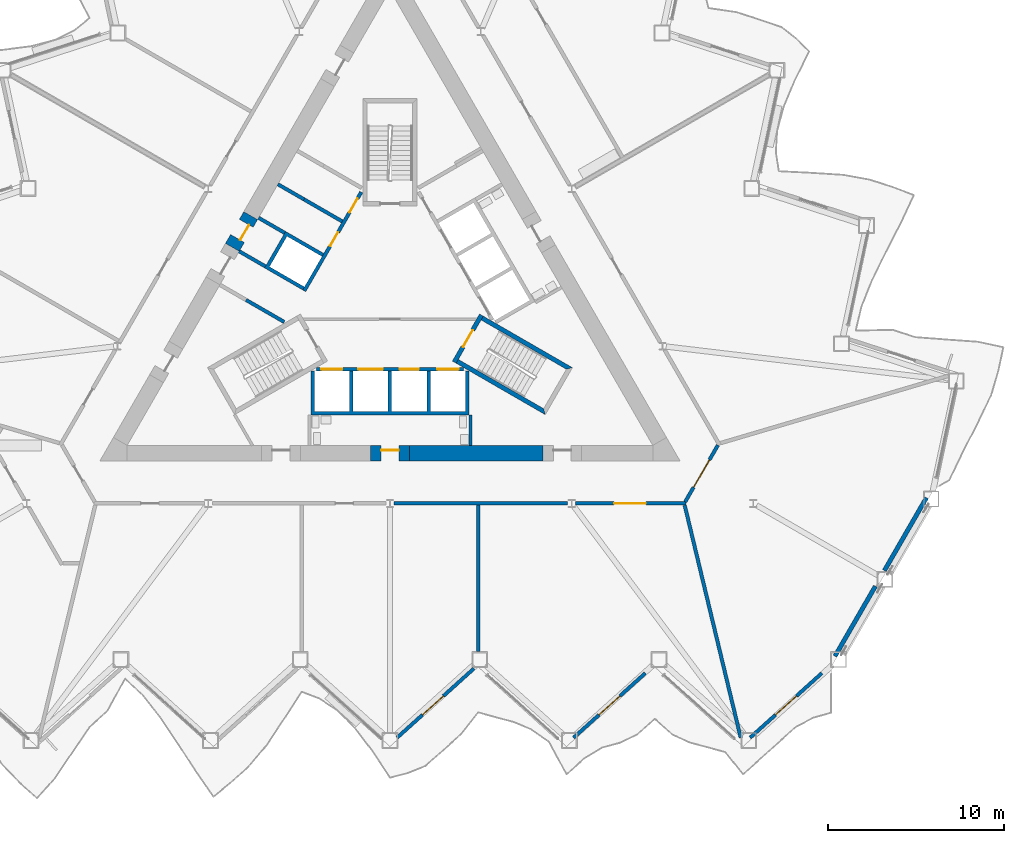
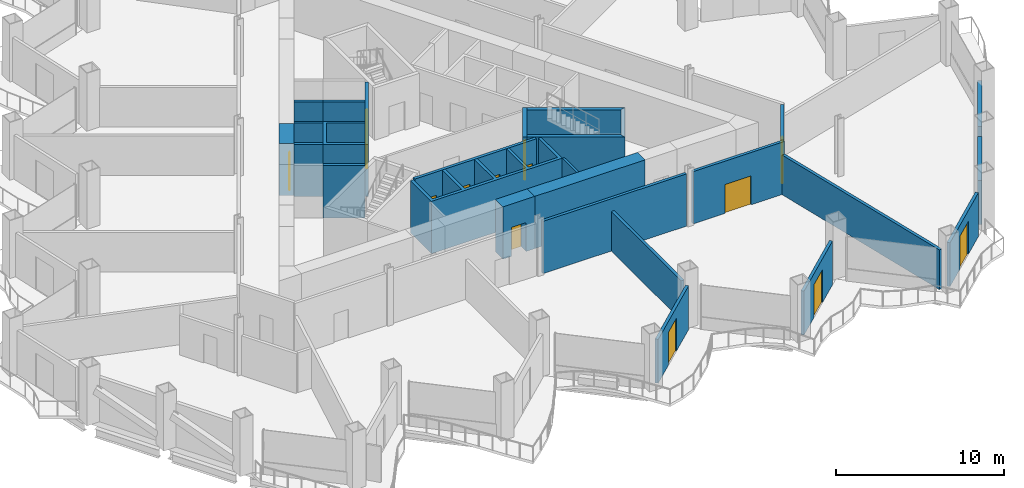
# One storey, part 11 of 21: 26 walls, 14 doors, 14 openings.
"""IFC4 building model written with IfcOpenShell, lengths in metres."""

from ifc_helpers import new_model, si_unit, direction, frame, frame_2d, origin, place, context, subcontext, project, spatial, polyline, rectangle, outline, extrude, material, layer, layer_set, type_object, element, fill, save


model = new_model("IFC4")

# Units and contexts
model_context = context("Model", 3, precision=1e-05, world=origin(), true_north=direction((0.0, 1.0)))
body_context = subcontext(model_context, "Body", "Model", "MODEL_VIEW")
ifc_project = project(units=[si_unit("LENGTHUNIT", "METRE"), si_unit("AREAUNIT", "SQUARE_METRE"), si_unit("VOLUMEUNIT", "CUBIC_METRE"), si_unit("PLANEANGLEUNIT", "RADIAN"), si_unit("MASSUNIT", "GRAM", prefix="KILO")], contexts=[model_context])

# Site, building, storey
site_placement = place(None, origin())
site = spatial("IfcSite", under=ifc_project, at=site_placement, CompositionType="ELEMENT")
building_placement = place(site_placement, origin())
building = spatial("IfcBuilding", under=site, at=building_placement, Name="Cormorant Prow Tower", CompositionType="ELEMENT")
storey_placement = place(building_placement, frame((0.0, 0.0, 116.39990234375)))
storey = spatial("IfcBuildingStorey", under=building, at=storey_placement, Name="L24", CompositionType="ELEMENT", Elevation=116.39990234375)

# Walls
ifc_material_1 = material(Name="Gypsum board partition")
ifc_layer_1 = layer(ifc_material_1, 0.14990234375)
ifc_layer_set_1 = layer_set([ifc_layer_1], Name="Gypsum board partition")
wall_type_1 = type_object("IfcWallType", Name="Core partition 150", PredefinedType="PARTITIONING", material=ifc_layer_set_1)
wall_1_placement = place(storey_placement, frame((4.574951171875, -6.906005859375, 0.0), z_axis=(0.0, 0.0, 1.0), x_axis=(0.0, -1.0, 0.0)))
element("IfcWall", 1, at=wall_1_placement, inside=storey, type_object=wall_type_1, Name="Service room partition", PredefinedType="PARTITIONING", context=body_context, shape_type="SweptSolid", body=[
    extrude(rectangle(XDim=1.72021484375, YDim=0.14990234375, at=frame_2d((0.860107421875, 0.0))), origin(), (0.0, 0.0, 1.0), 3.800048828125),
])
ifc_material_2 = material(Name="Concrete 8000 psi", Category="concrete")
ifc_layer_2 = layer(ifc_material_2, 0.89990234375)
ifc_layer_set_2 = layer_set([ifc_layer_2], Name="Concrete 8000 psi")
wall_type_2 = type_object("IfcWallType", Name="Core shear wall 900", PredefinedType="SHEAR", material=ifc_layer_set_2)
wall_2_placement = place(storey_placement, frame((1.10009765625, -9.076416015625, 0.0), z_axis=(0.0, 0.0, 1.0), x_axis=(1.0, 0.0, 0.0)))
element("IfcWall", 2, at=wall_2_placement, inside=storey, type_object=wall_type_2, Name="Core wall", PredefinedType="SHEAR", context=body_context, shape_type="SweptSolid", body=[
    extrude(rectangle(XDim=7.595458984375, YDim=0.89990234375, at=frame_2d((3.7978515625, 0.0))), origin(), (0.0, 0.0, 1.0), 3.800048828125),
])

# Wall, opening, door
wall_3_placement = place(storey_placement, frame((-1.10009765625, -9.076416015625, 0.0), z_axis=(0.0, 0.0, 1.0), x_axis=(1.0, 0.0, 0.0)))
wall_3 = element("IfcWall", 3, at=wall_3_placement, inside=storey, type_object=wall_type_2, Name="Core wall door panel", PredefinedType="SHEAR", context=body_context, shape_type="SweptSolid", body=[
    extrude(rectangle(XDim=2.2001953125, YDim=0.89990234375, at=frame_2d((1.10009765625, 0.0))), origin(), (0.0, 0.0, 1.0), 3.800048828125),
])
opening_1_placement = place(wall_3_placement, frame((0.60009765625, 0.0, 0.0)))
opening_1 = element("IfcOpeningElement", 4, at=opening_1_placement, cuts=wall_3, Name="Opening L24-C15", PredefinedType="OPENING", context=body_context, shape_type="SweptSolid", body=[
    extrude(rectangle(XDim=1.0, YDim=2.10009765625, at=frame_2d((0.5, 1.050048828125))), frame((0.0, 0.4599609375, 0.0), z_axis=(0.0, -1.0, 0.0), x_axis=(1.0, 0.0, 0.0)), (0.0, 0.0, 1.0), 0.919921875),
])
ifc_material_3 = material(Name="Painted steel", Category="steel")
door_type_1 = type_object("IfcDoorType", Name="Service door 1000x2100", OperationType="NOTDEFINED", PredefinedType="DOOR", material=ifc_material_3)
door_1_placement = place(opening_1_placement, origin())
door_1 = element("IfcDoor", 5, at=door_1_placement, inside=storey, type_object=door_type_1, Name="Core door, Toilets (women) L24", OperationType="SINGLE_SWING_LEFT", OverallHeight=2.10009765625, OverallWidth=1.0, PredefinedType="DOOR", context=body_context, shape_type="SweptSolid", body=[
    extrude(rectangle(XDim=1.0, YDim=2.10009765625, at=frame_2d((0.5, 1.050048828125))), frame((0.0, 0.205078125, 0.0), z_axis=(0.0, -1.0, 0.0), x_axis=(1.0, 0.0, 0.0)), (0.0, 0.0, 1.0), 0.050048828125),
])
fill(opening_1, door_1)

wall_4_placement = place(storey_placement, frame((-7.92041015625, 4.43408203125, 0.0), z_axis=(0.0, 0.0, 1.0), x_axis=(-0.499939227269, -0.866060488094, 0.0)))
wall_4 = element("IfcWall", 6, at=wall_4_placement, inside=storey, type_object=wall_type_2, Name="Core wall door panel", PredefinedType="SHEAR", context=body_context, shape_type="SweptSolid", body=[
    extrude(rectangle(XDim=2.079833984375, YDim=0.89990234375, at=frame_2d((1.0400390625, 0.0))), origin(), (0.0, 0.0, 1.0), 3.800048828125),
])
opening_2_placement = place(wall_4_placement, frame((0.5, 0.0, 0.0)))
opening_2 = element("IfcOpeningElement", 7, at=opening_2_placement, cuts=wall_4, Name="Opening L24-C19", PredefinedType="OPENING", context=body_context, shape_type="SweptSolid", body=[
    extrude(rectangle(XDim=1.0, YDim=2.10009765625, at=frame_2d((0.5, 1.050048828125))), frame((0.0, 0.4599609375, 0.0), z_axis=(0.0, -1.0, 0.0), x_axis=(1.0, 0.0, 0.0)), (0.0, 0.0, 1.0), 0.919921875),
])
door_2_placement = place(opening_2_placement, origin())
door_2 = element("IfcDoor", 8, at=door_2_placement, inside=storey, type_object=door_type_1, Name="Core door, Electrical room", OperationType="SINGLE_SWING_RIGHT", OverallHeight=2.10009765625, OverallWidth=1.0, PredefinedType="DOOR", context=body_context, shape_type="SweptSolid", body=[
    extrude(rectangle(XDim=1.0, YDim=2.10009765625, at=frame_2d((0.5, 1.050048828125))), frame((0.0, 0.205078125, 0.0), z_axis=(0.0, -1.0, 0.0), x_axis=(1.0, 0.0, 0.0)), (0.0, 0.0, 1.0), 0.050048828125),
])
fill(opening_2, door_2)

# Wall
ifc_material_4 = material(Name="Gypsum board corridor wall")
ifc_layer_3 = layer(ifc_material_4, 0.199951171875)
ifc_layer_set_3 = layer_set([ifc_layer_3], Name="Gypsum board corridor wall")
wall_type_3 = type_object("IfcWallType", Name="Corridor wall 200", PredefinedType="PARTITIONING", material=ifc_layer_set_3)
wall_5_placement = place(storey_placement, frame((0.227294921875, -11.92626953125, 0.0), z_axis=(0.0, 0.0, 1.0), x_axis=(1.0, 0.0, 0.0)))
element("IfcWall", 9, at=wall_5_placement, inside=storey, type_object=wall_type_3, Name="Corridor wall", PredefinedType="PARTITIONING", context=body_context, shape_type="SweptSolid", body=[
    extrude(rectangle(XDim=9.873779296875, YDim=0.199951171875, at=frame_2d((4.93701171875, 0.0))), origin(), (0.0, 0.0, 1.0), 3.800048828125),
])

# Wall, opening, door
wall_6_placement = place(storey_placement, frame((10.555908203125, -11.92626953125, 0.0), z_axis=(0.0, 0.0, 1.0), x_axis=(1.0, 0.0, 0.0)))
wall_6 = element("IfcWall", 10, at=wall_6_placement, inside=storey, type_object=wall_type_3, Name="Corridor wall", PredefinedType="PARTITIONING", context=body_context, shape_type="SweptSolid", body=[
    extrude(rectangle(XDim=6.27490234375, YDim=0.199951171875, at=frame_2d((3.137451171875, 0.0))), origin(), (0.0, 0.0, 1.0), 3.800048828125),
])
opening_3_placement = place(wall_6_placement, frame((2.1865234375, 0.0, 0.0)))
opening_3 = element("IfcOpeningElement", 11, at=opening_3_placement, cuts=wall_6, Name="Opening L24-F03", PredefinedType="OPENING", context=body_context, shape_type="SweptSolid", body=[
    extrude(rectangle(XDim=1.800048828125, YDim=2.10009765625, at=frame_2d((0.89990234375, 1.050048828125))), frame((0.0, 0.10986328125, 0.0), z_axis=(0.0, -1.0, 0.0), x_axis=(1.0, 0.0, 0.0)), (0.0, 0.0, 1.0), 0.219970703125),
])
ifc_material_5 = material(Name="Timber door leaf", Category="wood")
door_type_2 = type_object("IfcDoorType", Name="Double door 1800x2100", OperationType="DOUBLE_DOOR_SINGLE_SWING", PredefinedType="DOOR", material=ifc_material_5)
door_3_placement = place(opening_3_placement, origin())
door_3 = element("IfcDoor", 12, at=door_3_placement, inside=storey, type_object=door_type_2, Name="Open-plan office door", OperationType="DOUBLE_DOOR_SINGLE_SWING", OverallHeight=2.10009765625, OverallWidth=1.800048828125, PredefinedType="DOOR", context=body_context, shape_type="SweptSolid", body=[
    extrude(rectangle(XDim=1.800048828125, YDim=2.10009765625, at=frame_2d((0.89990234375, 1.050048828125))), frame((0.0, 0.02490234375, 0.0), z_axis=(0.0, -1.0, 0.0), x_axis=(1.0, 0.0, 0.0)), (0.0, 0.0, 1.0), 0.050048828125),
])
fill(opening_3, door_3)

wall_7_placement = place(storey_placement, frame((16.781005859375, -11.839599609375, 0.0), z_axis=(0.0, 0.0, 1.0), x_axis=(0.499958791762, 0.866049194065, 0.0)))
wall_7 = element("IfcWall", 13, at=wall_7_placement, inside=storey, type_object=wall_type_3, Name="Corridor wall", PredefinedType="PARTITIONING", context=body_context, shape_type="SweptSolid", body=[
    extrude(rectangle(XDim=3.725830078125, YDim=0.199951171875, at=frame_2d((1.86279296875, 0.0))), origin(), (0.0, 0.0, 1.0), 3.800048828125),
])
opening_4_placement = place(wall_7_placement, frame((0.962890625, 0.0, 0.0)))
opening_4 = element("IfcOpeningElement", 14, at=opening_4_placement, cuts=wall_7, Name="Opening L24-F04", PredefinedType="OPENING", context=body_context, shape_type="SweptSolid", body=[
    extrude(rectangle(XDim=1.800048828125, YDim=2.10009765625, at=frame_2d((0.89990234375, 1.050048828125))), frame((0.0, 0.10986328125, 0.0), z_axis=(0.0, -1.0, 0.0), x_axis=(1.0, 0.0, 0.0)), (0.0, 0.0, 1.0), 0.219970703125),
])
door_4_placement = place(opening_4_placement, origin())
door_4 = element("IfcDoor", 15, at=door_4_placement, inside=storey, type_object=door_type_2, Name="Open-plan office door", OperationType="DOUBLE_DOOR_SINGLE_SWING", OverallHeight=2.10009765625, OverallWidth=1.800048828125, PredefinedType="DOOR", context=body_context, shape_type="SweptSolid", body=[
    extrude(rectangle(XDim=1.800048828125, YDim=2.10009765625, at=frame_2d((0.89990234375, 1.050048828125))), frame((0.0, 0.02490234375, 0.0), z_axis=(0.0, -1.0, 0.0), x_axis=(1.0, 0.0, 0.0)), (0.0, 0.0, 1.0), 0.050048828125),
])
fill(opening_4, door_4)

# Walls
ifc_material_6 = material(Name="Gypsum board demising wall")
ifc_layer_4 = layer(ifc_material_6, 0.199951171875)
ifc_layer_set_4 = layer_set([ifc_layer_4], Name="Gypsum board demising wall")
wall_type_4 = type_object("IfcWallType", Name="Demising wall 200", PredefinedType="PARTITIONING", material=ifc_layer_set_4)
wall_8_placement = place(storey_placement, frame((16.75439453125, -12.0234375, 0.0), z_axis=(0.0, 0.0, 1.0), x_axis=(0.234226353532, -0.972182089586, 0.0)))
element("IfcWall", 16, at=wall_8_placement, inside=storey, type_object=wall_type_4, Name="Demising wall", PredefinedType="PARTITIONING", context=body_context, shape_type="SweptSolid", body=[
    extrude(rectangle(XDim=13.599365234375, YDim=0.199951171875, at=frame_2d((6.7998046875, 0.0))), origin(), (0.0, 0.0, 1.0), 2.885498046875),
])
wall_9_placement = place(storey_placement, frame((5.01806640625, -20.34716796875, 0.0), z_axis=(0.0, 0.0, 1.0), x_axis=(0.0, 1.0, 0.0)))
element("IfcWall", 17, at=wall_9_placement, inside=storey, type_object=wall_type_4, Name="Demising wall", PredefinedType="PARTITIONING", context=body_context, shape_type="SweptSolid", body=[
    extrude(rectangle(XDim=8.32080078125, YDim=0.199951171875, at=frame_2d((4.160400390625, 0.0))), origin(), (0.0, 0.0, 1.0), 2.885498046875),
])

# Wall, openings, doors
ifc_material_7 = material(Name="Concrete 5000 psi", Category="concrete")
ifc_layer_5 = layer(ifc_material_7, 0.199951171875)
ifc_layer_set_5 = layer_set([ifc_layer_5], Name="Concrete 5000 psi")
wall_type_5 = type_object("IfcWallType", Name="Lift lobby wall 200", PredefinedType="SOLIDWALL", material=ifc_layer_set_5)
wall_10_placement = place(storey_placement, frame((-4.1865234375, -4.300048828125, 0.0), z_axis=(0.0, 0.0, 1.0), x_axis=(1.0, 0.0, 0.0)))
wall_10 = element("IfcWall", 18, at=wall_10_placement, inside=storey, type_object=wall_type_5, Name="Lift lobby wall, S block", PredefinedType="SOLIDWALL", context=body_context, shape_type="SweptSolid", body=[
    extrude(rectangle(XDim=8.373046875, YDim=0.199951171875, at=frame_2d((4.1865234375, 0.0))), origin(), (0.0, 0.0, 1.0), 3.800048828125),
])
opening_5_placement = place(wall_10_placement, frame((0.28662109375, 0.0, 0.0)))
opening_5 = element("IfcOpeningElement", 19, at=opening_5_placement, cuts=wall_10, Name="Opening L24-C01", PredefinedType="OPENING", context=body_context, shape_type="SweptSolid", body=[
    extrude(rectangle(XDim=1.199951171875, YDim=2.10009765625, at=frame_2d((0.60009765625, 1.050048828125))), frame((0.0, 0.10986328125, 0.0), z_axis=(0.0, -1.0, 0.0), x_axis=(1.0, 0.0, 0.0)), (0.0, 0.0, 1.0), 0.219970703125),
])
opening_6_placement = place(wall_10_placement, frame((2.38671875, 0.0, 0.0)))
opening_6 = element("IfcOpeningElement", 20, at=opening_6_placement, cuts=wall_10, Name="Opening L24-C02", PredefinedType="OPENING", context=body_context, shape_type="SweptSolid", body=[
    extrude(rectangle(XDim=1.39990234375, YDim=2.10009765625, at=frame_2d((0.699951171875, 1.050048828125))), frame((0.0, 0.10986328125, 0.0), z_axis=(0.0, -1.0, 0.0), x_axis=(1.0, 0.0, 0.0)), (0.0, 0.0, 1.0), 0.219970703125),
])
opening_7_placement = place(wall_10_placement, frame((4.736572265625, 0.0, 0.0)))
opening_7 = element("IfcOpeningElement", 21, at=opening_7_placement, cuts=wall_10, Name="Opening L24-C03", PredefinedType="OPENING", context=body_context, shape_type="SweptSolid", body=[
    extrude(rectangle(XDim=1.10009765625, YDim=2.10009765625, at=frame_2d((0.550048828125, 1.050048828125))), frame((0.0, 0.10986328125, 0.0), z_axis=(0.0, -1.0, 0.0), x_axis=(1.0, 0.0, 0.0)), (0.0, 0.0, 1.0), 0.219970703125),
])
opening_8_placement = place(wall_10_placement, frame((6.88671875, 0.0, 0.0)))
opening_8 = element("IfcOpeningElement", 22, at=opening_8_placement, cuts=wall_10, Name="Opening L24-C04", PredefinedType="OPENING", context=body_context, shape_type="SweptSolid", body=[
    extrude(rectangle(XDim=1.199951171875, YDim=2.10009765625, at=frame_2d((0.60009765625, 1.050048828125))), frame((0.0, 0.10986328125, 0.0), z_axis=(0.0, -1.0, 0.0), x_axis=(1.0, 0.0, 0.0)), (0.0, 0.0, 1.0), 0.219970703125),
])
ifc_material_8 = material(Name="Painted steel", Category="steel")
door_type_3 = type_object("IfcDoorType", Name="Firefighting lift landing door 1200x2100", OperationType="SLIDING_TO_LEFT", PredefinedType="DOOR", material=ifc_material_8)
door_5_placement = place(opening_5_placement, origin())
door_5 = element("IfcDoor", 23, at=door_5_placement, inside=storey, type_object=door_type_3, Name="Landing door FL1", OperationType="SLIDING_TO_LEFT", OverallHeight=2.10009765625, OverallWidth=1.199951171875, PredefinedType="DOOR", context=body_context, shape_type="SweptSolid", body=[
    extrude(rectangle(XDim=1.199951171875, YDim=2.10009765625, at=frame_2d((0.60009765625, 1.050048828125))), frame((0.0, 0.02490234375, 0.0), z_axis=(0.0, -1.0, 0.0), x_axis=(1.0, 0.0, 0.0)), (0.0, 0.0, 1.0), 0.050048828125),
])
fill(opening_5, door_5)
door_6_placement = place(opening_8_placement, origin())
door_6 = element("IfcDoor", 24, at=door_6_placement, inside=storey, type_object=door_type_3, Name="Landing door FL2", OperationType="SLIDING_TO_LEFT", OverallHeight=2.10009765625, OverallWidth=1.199951171875, PredefinedType="DOOR", context=body_context, shape_type="SweptSolid", body=[
    extrude(rectangle(XDim=1.199951171875, YDim=2.10009765625, at=frame_2d((0.60009765625, 1.050048828125))), frame((0.0, 0.02490234375, 0.0), z_axis=(0.0, -1.0, 0.0), x_axis=(1.0, 0.0, 0.0)), (0.0, 0.0, 1.0), 0.050048828125),
])
fill(opening_8, door_6)
ifc_material_9 = material(Name="Painted steel", Category="steel")
door_type_4 = type_object("IfcDoorType", Name="Lift landing door 1100x2100", OperationType="SLIDING_TO_LEFT", PredefinedType="DOOR", material=ifc_material_9)
door_7_placement = place(opening_7_placement, origin())
door_7 = element("IfcDoor", 25, at=door_7_placement, inside=storey, type_object=door_type_4, Name="Landing door LR1", OperationType="SLIDING_TO_LEFT", OverallHeight=2.10009765625, OverallWidth=1.10009765625, PredefinedType="DOOR", context=body_context, shape_type="SweptSolid", body=[
    extrude(rectangle(XDim=1.10009765625, YDim=2.10009765625, at=frame_2d((0.550048828125, 1.050048828125))), frame((0.0, 0.02490234375, 0.0), z_axis=(0.0, -1.0, 0.0), x_axis=(1.0, 0.0, 0.0)), (0.0, 0.0, 1.0), 0.050048828125),
])
fill(opening_7, door_7)
ifc_material_10 = material(Name="Painted steel", Category="steel")
door_type_5 = type_object("IfcDoorType", Name="Service lift landing door 1400x2100", OperationType="SLIDING_TO_LEFT", PredefinedType="DOOR", material=ifc_material_10)
door_8_placement = place(opening_6_placement, origin())
door_8 = element("IfcDoor", 26, at=door_8_placement, inside=storey, type_object=door_type_5, Name="Landing door SL1", OperationType="SLIDING_TO_LEFT", OverallHeight=2.10009765625, OverallWidth=1.39990234375, PredefinedType="DOOR", context=body_context, shape_type="SweptSolid", body=[
    extrude(rectangle(XDim=1.39990234375, YDim=2.10009765625, at=frame_2d((0.699951171875, 1.050048828125))), frame((0.0, 0.02490234375, 0.0), z_axis=(0.0, -1.0, 0.0), x_axis=(1.0, 0.0, 0.0)), (0.0, 0.0, 1.0), 0.050048828125),
])
fill(opening_6, door_8)

wall_11_placement = place(storey_placement, frame((-1.630615234375, 5.775634765625, 0.0), z_axis=(0.0, 0.0, 1.0), x_axis=(-0.499992876559, -0.866029516466, 0.0)))
wall_11 = element("IfcWall", 27, at=wall_11_placement, inside=storey, type_object=wall_type_5, Name="Lift lobby wall, WNW block", PredefinedType="SOLIDWALL", context=body_context, shape_type="SweptSolid", body=[
    extrude(rectangle(XDim=6.486328125, YDim=0.199951171875, at=frame_2d((3.2431640625, 0.0))), origin(), (0.0, 0.0, 1.0), 3.800048828125),
])
opening_9_placement = place(wall_11_placement, frame((0.4365234375, 0.0, 0.0)))
opening_9 = element("IfcOpeningElement", 28, at=opening_9_placement, cuts=wall_11, Name="Opening L24-C09", PredefinedType="OPENING", context=body_context, shape_type="SweptSolid", body=[
    extrude(rectangle(XDim=0.89990234375, YDim=2.10009765625, at=frame_2d((0.449951171875, 1.050048828125))), frame((0.0, 0.10986328125, 0.0), z_axis=(0.0, -1.0, 0.0), x_axis=(1.0, 0.0, 0.0)), (0.0, 0.0, 1.0), 0.219970703125),
])
opening_10_placement = place(wall_11_placement, frame((2.63671875, 0.0, 0.0)))
opening_10 = element("IfcOpeningElement", 29, at=opening_10_placement, cuts=wall_11, Name="Opening L24-C10", PredefinedType="OPENING", context=body_context, shape_type="SweptSolid", body=[
    extrude(rectangle(XDim=0.89990234375, YDim=2.10009765625, at=frame_2d((0.449951171875, 1.050048828125))), frame((0.0, 0.10986328125, 0.0), z_axis=(0.0, -1.0, 0.0), x_axis=(1.0, 0.0, 0.0)), (0.0, 0.0, 1.0), 0.219970703125),
])
ifc_material_11 = material(Name="Painted steel", Category="steel")
door_type_6 = type_object("IfcDoorType", Name="Service door 900x2100", OperationType="NOTDEFINED", PredefinedType="DOOR", material=ifc_material_11)
door_9_placement = place(opening_9_placement, origin())
door_9 = element("IfcDoor", 30, at=door_9_placement, inside=storey, type_object=door_type_6, Name="Service door, Refuse store", OperationType="SINGLE_SWING_LEFT", OverallHeight=2.10009765625, OverallWidth=0.89990234375, PredefinedType="DOOR", context=body_context, shape_type="SweptSolid", body=[
    extrude(rectangle(XDim=0.89990234375, YDim=2.10009765625, at=frame_2d((0.449951171875, 1.050048828125))), frame((0.0, 0.02490234375, 0.0), z_axis=(0.0, -1.0, 0.0), x_axis=(1.0, 0.0, 0.0)), (0.0, 0.0, 1.0), 0.050048828125),
])
fill(opening_9, door_9)
door_10_placement = place(opening_10_placement, origin())
door_10 = element("IfcDoor", 31, at=door_10_placement, inside=storey, type_object=door_type_6, Name="Service door, Pantry store", OperationType="SINGLE_SWING_RIGHT", OverallHeight=2.10009765625, OverallWidth=0.89990234375, PredefinedType="DOOR", context=body_context, shape_type="SweptSolid", body=[
    extrude(rectangle(XDim=0.89990234375, YDim=2.10009765625, at=frame_2d((0.449951171875, 1.050048828125))), frame((0.0, 0.02490234375, 0.0), z_axis=(0.0, -1.0, 0.0), x_axis=(1.0, 0.0, 0.0)), (0.0, 0.0, 1.0), 0.050048828125),
])
fill(opening_10, door_10)

# Walls
ifc_material_12 = material(Name="Concrete 8000 psi", Category="concrete")
ifc_layer_6 = layer(ifc_material_12, 0.199951171875)
ifc_layer_set_6 = layer_set([ifc_layer_6], Name="Concrete 8000 psi")
wall_type_6 = type_object("IfcWallType", Name="Lift shaft wall 200", PredefinedType="SHEAR", material=ifc_layer_set_6)
wall_12_placement = place(storey_placement, origin())
element("IfcWall", 32, at=wall_12_placement, inside=storey, type_object=wall_type_6, Name="Lift shaft walls, S block", PredefinedType="SHEAR", context=body_context, shape_type="SweptSolid", body=[
    extrude(outline(polyline([(4.5, -4.39990234375), (4.5, -6.906005859375), (-4.5, -6.906005859375), (-4.5, -4.39990234375), (-4.300048828125, -4.39990234375), (-4.300048828125, -6.699951171875), (-2.300048828125, -6.699951171875), (-2.300048828125, -4.39990234375), (-2.10009765625, -4.39990234375), (-2.10009765625, -6.699951171875), (-0.10009765625, -6.699951171875), (-0.10009765625, -4.39990234375), (0.10009765625, -4.39990234375), (0.10009765625, -6.699951171875), (2.10009765625, -6.699951171875), (2.10009765625, -4.39990234375), (2.300048828125, -4.39990234375), (2.300048828125, -6.699951171875), (4.300048828125, -6.699951171875), (4.300048828125, -4.39990234375), (4.5, -4.39990234375)])), origin(), (0.0, 0.0, 1.0), 3.800048828125),
])
wall_13_placement = place(storey_placement, origin())
element("IfcWall", 33, at=wall_13_placement, inside=storey, type_object=wall_type_6, Name="Lift shaft walls, WNW block", PredefinedType="SHEAR", context=body_context, shape_type="SweptSolid", body=[
    extrude(outline(polyline([(-6.060546875, -1.697021484375), (-8.230712890625, -0.444091796875), (-8.130859375, -0.27099609375), (-5.96044921875, -1.52392578125), (-6.060546875, -1.697021484375)])), origin(), (0.0, 0.0, 1.0), 3.800048828125),
])
wall_14_placement = place(storey_placement, origin())
element("IfcWall", 34, at=wall_14_placement, inside=storey, type_object=wall_type_6, Name="Lift shaft walls, WNW block", PredefinedType="SHEAR", context=body_context, shape_type="SweptSolid", body=[
    extrude(outline(polyline([(-4.96044921875, 0.2080078125), (-7.130859375, 1.461181640625), (-5.930908203125, 3.53955078125), (-3.760498046875, 2.28662109375), (-3.860595703125, 2.11328125), (-5.852294921875, 3.263427734375), (-6.852294921875, 1.53125), (-4.860595703125, 0.38134765625), (-4.96044921875, 0.2080078125)])), origin(), (0.0, 0.0, 1.0), 3.800048828125),
])
wall_15_placement = place(storey_placement, origin())
element("IfcWall", 35, at=wall_15_placement, inside=storey, type_object=wall_type_6, Name="Lift shaft walls, WNW block", PredefinedType="SHEAR", context=body_context, shape_type="SweptSolid", body=[
    extrude(outline(polyline([(-2.760498046875, 4.018798828125), (-4.930908203125, 5.271728515625), (-4.830810546875, 5.44482421875), (-2.660400390625, 4.19189453125), (-2.760498046875, 4.018798828125)])), origin(), (0.0, 0.0, 1.0), 3.800048828125),
])
wall_16_placement = place(storey_placement, frame((-4.880859375, 5.3583984375, 0.0), z_axis=(0.0, 0.0, 1.0), x_axis=(-0.866024871741, 0.500000921525, 0.0)))
element("IfcWall", 36, at=wall_16_placement, inside=storey, type_object=wall_type_6, Name="Store side wall", PredefinedType="SHEAR", context=body_context, shape_type="SweptSolid", body=[
    extrude(rectangle(XDim=1.72021484375, YDim=0.199951171875, at=frame_2d((0.860107421875, 0.0))), origin(), (0.0, 0.0, 1.0), 3.800048828125),
])
wall_17_placement = place(storey_placement, frame((-5.980712890625, 3.452880859375, 0.0), z_axis=(0.0, 0.0, 1.0), x_axis=(-0.866060346521, 0.499939472521, 0.0)))
element("IfcWall", 37, at=wall_17_placement, inside=storey, type_object=wall_type_6, Name="Store side wall", PredefinedType="SHEAR", context=body_context, shape_type="SweptSolid", body=[
    extrude(rectangle(XDim=1.720458984375, YDim=0.199951171875, at=frame_2d((0.8603515625, 0.0))), origin(), (0.0, 0.0, 1.0), 3.800048828125),
])
wall_18_placement = place(storey_placement, frame((-7.080810546875, 1.547607421875, 0.0), z_axis=(0.0, 0.0, 1.0), x_axis=(-0.865963414263, 0.500107353632, 0.0)))
element("IfcWall", 38, at=wall_18_placement, inside=storey, type_object=wall_type_6, Name="Lobby passage wall", PredefinedType="SHEAR", context=body_context, shape_type="SweptSolid", body=[
    extrude(rectangle(XDim=1.72021484375, YDim=0.199951171875, at=frame_2d((0.860107421875, 0.0))), origin(), (0.0, 0.0, 1.0), 3.800048828125),
])
ifc_material_13 = material(Name="Concrete 8000 psi", Category="concrete")
ifc_layer_7 = layer(ifc_material_13, 0.25)
ifc_layer_set_7 = layer_set([ifc_layer_7], Name="Concrete 8000 psi")
wall_type_7 = type_object("IfcWallType", Name="Stair wall 250", PredefinedType="SHEAR", material=ifc_layer_set_7)
wall_19_placement = place(storey_placement, origin())
element("IfcWall", 39, at=wall_19_placement, inside=storey, type_object=wall_type_7, Name="Stair ST2 enclosure wall (flank)", PredefinedType="SHEAR", context=body_context, shape_type="SweptSolid", body=[
    extrude(outline(polyline([(3.76318359375, -3.95556640625), (8.82958984375, -6.880615234375), (8.738037109375, -6.5390625), (3.88818359375, -3.739013671875), (3.76318359375, -3.95556640625)])), origin(), (0.0, 0.0, 1.0), 3.800048828125),
])
wall_20_placement = place(storey_placement, origin())
element("IfcWall", 40, at=wall_20_placement, inside=storey, type_object=wall_type_7, Name="Stair ST2 enclosure wall (flank)", PredefinedType="SHEAR", context=body_context, shape_type="SweptSolid", body=[
    extrude(outline(polyline([(10.031982421875, -4.2978515625), (10.37353515625, -4.206298828125), (5.30712890625, -1.28125), (5.18212890625, -1.497802734375), (10.031982421875, -4.2978515625)])), origin(), (0.0, 0.0, 1.0), 3.800048828125),
])

# Wall, opening, door
wall_21_placement = place(storey_placement, frame((3.655029296875, -3.89306640625, 0.0), z_axis=(0.0, 0.0, 1.0), x_axis=(0.499982516597, 0.866035497597, 0.0)))
wall_21 = element("IfcWall", 41, at=wall_21_placement, inside=storey, type_object=wall_type_7, Name="Stair ST2 door wall", PredefinedType="SHEAR", context=body_context, shape_type="SweptSolid", body=[
    extrude(rectangle(XDim=3.087890625, YDim=0.25, at=frame_2d((1.5439453125, 0.0))), origin(), (0.0, 0.0, 1.0), 3.800048828125),
])
opening_11_placement = place(wall_21_placement, frame((0.993896484375, 0.0, 0.0)))
opening_11 = element("IfcOpeningElement", 42, at=opening_11_placement, cuts=wall_21, Name="Opening L24-C13", PredefinedType="OPENING", context=body_context, shape_type="SweptSolid", body=[
    extrude(rectangle(XDim=1.10009765625, YDim=2.10009765625, at=frame_2d((0.550048828125, 1.050048828125))), frame((0.0, 0.135009765625, 0.0), z_axis=(0.0, -1.0, 0.0), x_axis=(1.0, 0.0, 0.0)), (0.0, 0.0, 1.0), 0.27001953125),
])
ifc_material_14 = material(Name="Painted steel", Category="steel")
door_type_7 = type_object("IfcDoorType", Name="Stair door 1100x2100", OperationType="NOTDEFINED", PredefinedType="DOOR", material=ifc_material_14)
door_11_placement = place(opening_11_placement, origin())
door_11 = element("IfcDoor", 43, at=door_11_placement, inside=storey, type_object=door_type_7, Name="Stair ST2 door", OperationType="SINGLE_SWING_RIGHT", OverallHeight=2.10009765625, OverallWidth=1.10009765625, PredefinedType="DOOR", context=body_context, shape_type="SweptSolid", body=[
    extrude(rectangle(XDim=1.10009765625, YDim=2.10009765625, at=frame_2d((0.550048828125, 1.050048828125))), frame((0.0, 0.02490234375, 0.0), z_axis=(0.0, -1.0, 0.0), x_axis=(1.0, 0.0, 0.0)), (0.0, 0.0, 1.0), 0.050048828125),
])
fill(opening_11, door_11)

# Walls
ifc_material_15 = material(Name="Terracotta", Category="masonry")
ifc_layer_8 = layer(ifc_material_15, 0.25)
ifc_layer_set_8 = layer_set([ifc_layer_8], Name="Terracotta")
wall_type_8 = type_object("IfcWallType", Name="Terracotta bay wall 250", PredefinedType="SOLIDWALL", material=ifc_layer_set_8)
wall_22_placement = place(storey_placement, frame((25.2998046875, -20.612060546875, 0.0), z_axis=(0.0, 0.0, 1.0), x_axis=(0.500018268964, 0.866014855936, 0.0)))
element("IfcWall", 44, at=wall_22_placement, inside=storey, type_object=wall_type_8, Name="Terracotta bay wall ESE00", PredefinedType="SOLIDWALL", context=body_context, shape_type="SweptSolid", body=[
    extrude(rectangle(XDim=4.595947265625, YDim=0.25, at=frame_2d((2.2978515625, 0.0))), origin(), (0.0, 0.0, 1.0), 3.18896484375),
])
wall_23_placement = place(storey_placement, frame((28.11083984375, -15.743408203125, 0.0), z_axis=(0.0, 0.0, 1.0), x_axis=(0.499984810975, 0.866034172995, 0.0)))
element("IfcWall", 45, at=wall_23_placement, inside=storey, type_object=wall_type_8, Name="Terracotta bay wall ESE01", PredefinedType="SOLIDWALL", context=body_context, shape_type="SweptSolid", body=[
    extrude(rectangle(XDim=4.779541015625, YDim=0.25, at=frame_2d((2.3896484375, 0.0))), origin(), (0.0, 0.0, 1.0), 3.18896484375),
])

# Wall, opening, door
ifc_material_16 = material(Name="Terracotta", Category="masonry")
ifc_layer_9 = layer(ifc_material_16, 0.199951171875)
ifc_layer_set_9 = layer_set([ifc_layer_9], Name="Terracotta")
wall_type_9 = type_object("IfcWallType", Name="Terracotta jamb wall 200", PredefinedType="SOLIDWALL", material=ifc_layer_set_9)
wall_24_placement = place(storey_placement, frame((0.40576171875, -25.243896484375, 0.0), z_axis=(0.0, 0.0, 1.0), x_axis=(0.743138997535, 0.669137078888, 0.0)))
wall_24 = element("IfcWall", 46, at=wall_24_placement, inside=storey, type_object=wall_type_9, Name="Terracotta jamb wall S05", PredefinedType="SOLIDWALL", context=body_context, shape_type="SweptSolid", body=[
    extrude(rectangle(XDim=5.869140625, YDim=0.199951171875, at=frame_2d((2.9345703125, 0.0))), origin(), (0.0, 0.0, 1.0), 3.18896484375),
])
opening_12_placement = place(wall_24_placement, frame((1.940185546875, 0.0, 0.0)))
opening_12 = element("IfcOpeningElement", 47, at=opening_12_placement, cuts=wall_24, Name="Opening ED24.03", PredefinedType="OPENING", context=body_context, shape_type="SweptSolid", body=[
    extrude(rectangle(XDim=1.60009765625, YDim=2.39990234375, at=frame_2d((0.800048828125, 1.199951171875))), frame((0.0, 0.10986328125, 0.0), z_axis=(0.0, -1.0, 0.0), x_axis=(1.0, 0.0, 0.0)), (0.0, 0.0, 1.0), 0.219970703125),
])
ifc_material_17 = material(Name="Aluminium 6063-T6", Category="aluminium")
door_type_8 = type_object("IfcDoorType", Name="Balcony door 1600x2400", OperationType="DOUBLE_DOOR_SINGLE_SWING", PredefinedType="DOOR", material=ifc_material_17)
door_12_placement = place(opening_12_placement, origin())
door_12 = element("IfcDoor", 48, at=door_12_placement, inside=storey, type_object=door_type_8, Name="Balcony door S05 ED24.03", OperationType="DOUBLE_DOOR_SINGLE_SWING", OverallHeight=2.39990234375, OverallWidth=1.60009765625, PredefinedType="DOOR", context=body_context, shape_type="SweptSolid", body=[
    extrude(rectangle(XDim=1.60009765625, YDim=2.39990234375, at=frame_2d((0.800048828125, 1.199951171875))), frame((0.0, 0.02490234375, 0.0), z_axis=(0.0, -1.0, 0.0), x_axis=(1.0, 0.0, 0.0)), (0.0, 0.0, 1.0), 0.050048828125),
])
fill(opening_12, door_12)

wall_25_placement = place(storey_placement, frame((10.44189453125, -25.243896484375, 0.0), z_axis=(0.0, 0.0, 1.0), x_axis=(0.743134641601, 0.669141916526, 0.0)))
wall_25 = element("IfcWall", 49, at=wall_25_placement, inside=storey, type_object=wall_type_9, Name="Terracotta jamb wall S07", PredefinedType="SOLIDWALL", context=body_context, shape_type="SweptSolid", body=[
    extrude(rectangle(XDim=5.48046875, YDim=0.199951171875, at=frame_2d((2.740234375, 0.0))), origin(), (0.0, 0.0, 1.0), 3.18896484375),
])
opening_13_placement = place(wall_25_placement, frame((1.940185546875, 0.0, 0.0)))
opening_13 = element("IfcOpeningElement", 50, at=opening_13_placement, cuts=wall_25, Name="Opening ED24.04", PredefinedType="OPENING", context=body_context, shape_type="SweptSolid", body=[
    extrude(rectangle(XDim=1.60009765625, YDim=2.39990234375, at=frame_2d((0.800048828125, 1.199951171875))), frame((0.0, 0.10986328125, 0.0), z_axis=(0.0, -1.0, 0.0), x_axis=(1.0, 0.0, 0.0)), (0.0, 0.0, 1.0), 0.219970703125),
])
door_13_placement = place(opening_13_placement, origin())
door_13 = element("IfcDoor", 51, at=door_13_placement, inside=storey, type_object=door_type_8, Name="Balcony door S07 ED24.04", OperationType="DOUBLE_DOOR_SINGLE_SWING", OverallHeight=2.39990234375, OverallWidth=1.60009765625, PredefinedType="DOOR", context=body_context, shape_type="SweptSolid", body=[
    extrude(rectangle(XDim=1.60009765625, YDim=2.39990234375, at=frame_2d((0.800048828125, 1.199951171875))), frame((0.0, 0.02490234375, 0.0), z_axis=(0.0, -1.0, 0.0), x_axis=(1.0, 0.0, 0.0)), (0.0, 0.0, 1.0), 0.050048828125),
])
fill(opening_13, door_13)

wall_26_placement = place(storey_placement, frame((20.477783203125, -25.243896484375, 0.0), z_axis=(0.0, 0.0, 1.0), x_axis=(0.743134641601, 0.669141916526, 0.0)))
wall_26 = element("IfcWall", 52, at=wall_26_placement, inside=storey, type_object=wall_type_9, Name="Terracotta jamb wall S09", PredefinedType="SOLIDWALL", context=body_context, shape_type="SweptSolid", body=[
    extrude(rectangle(XDim=5.48046875, YDim=0.199951171875, at=frame_2d((2.740234375, 0.0))), origin(), (0.0, 0.0, 1.0), 3.18896484375),
])
opening_14_placement = place(wall_26_placement, frame((1.940185546875, 0.0, 0.0)))
opening_14 = element("IfcOpeningElement", 53, at=opening_14_placement, cuts=wall_26, Name="Opening ED24.05", PredefinedType="OPENING", context=body_context, shape_type="SweptSolid", body=[
    extrude(rectangle(XDim=1.60009765625, YDim=2.39990234375, at=frame_2d((0.800048828125, 1.199951171875))), frame((0.0, 0.10986328125, 0.0), z_axis=(0.0, -1.0, 0.0), x_axis=(1.0, 0.0, 0.0)), (0.0, 0.0, 1.0), 0.219970703125),
])
door_14_placement = place(opening_14_placement, origin())
door_14 = element("IfcDoor", 54, at=door_14_placement, inside=storey, type_object=door_type_8, Name="Balcony door S09 ED24.05", OperationType="DOUBLE_DOOR_SINGLE_SWING", OverallHeight=2.39990234375, OverallWidth=1.60009765625, PredefinedType="DOOR", context=body_context, shape_type="SweptSolid", body=[
    extrude(rectangle(XDim=1.60009765625, YDim=2.39990234375, at=frame_2d((0.800048828125, 1.199951171875))), frame((0.0, 0.02490234375, 0.0), z_axis=(0.0, -1.0, 0.0), x_axis=(1.0, 0.0, 0.0)), (0.0, 0.0, 1.0), 0.050048828125),
])
fill(opening_14, door_14)

save(model, "model.ifc")
